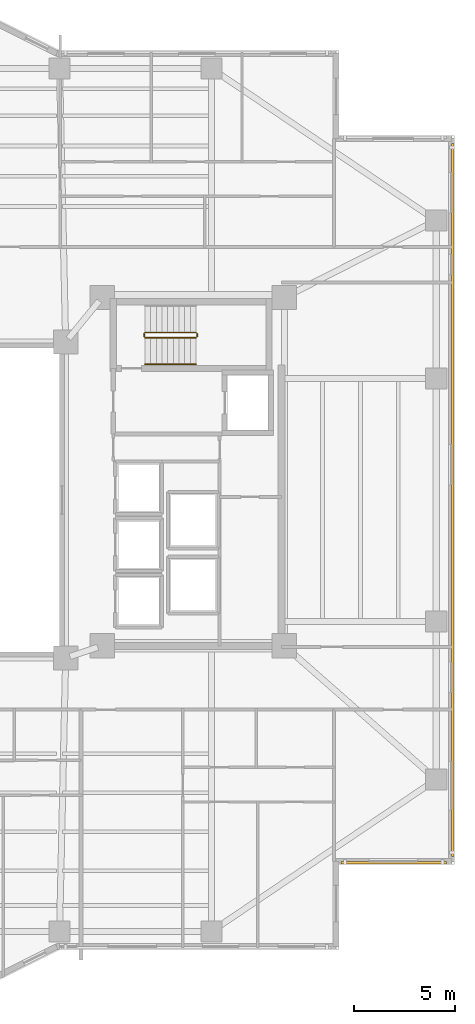
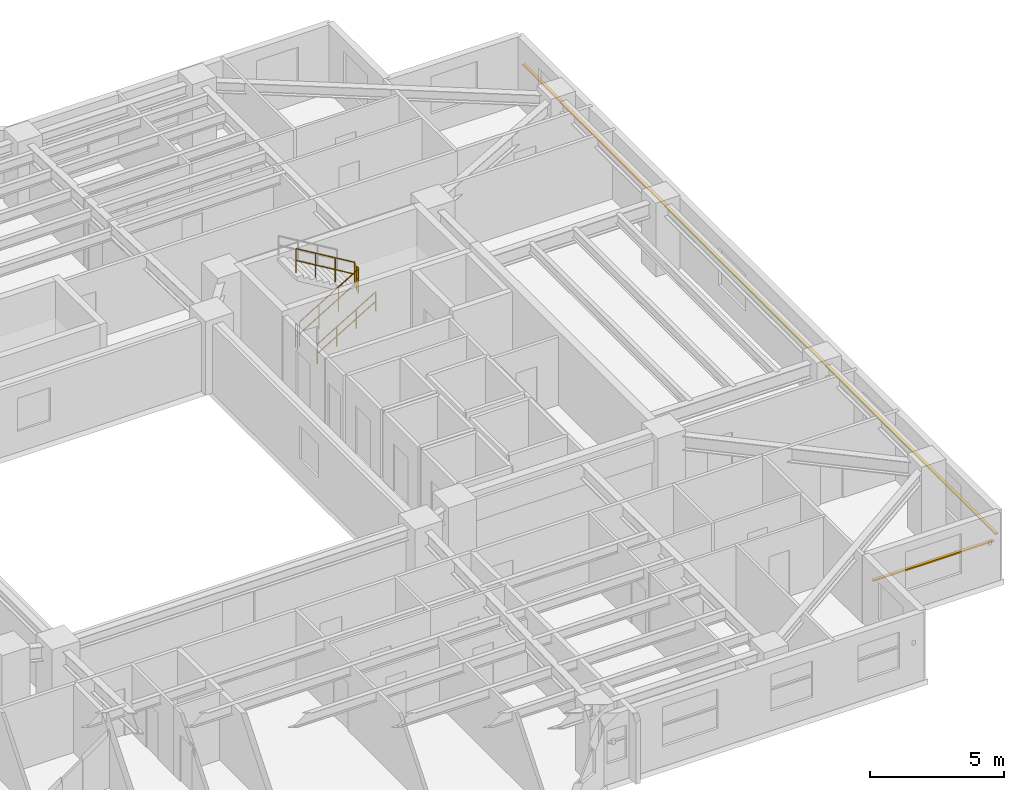
# One storey, part 16 of 18: 5 railings, 2 shading devices.
"""IFC4 building model written with IfcOpenShell, lengths in metres."""

import ifcopenshell
import ifcopenshell.guid

model = None  # the IFC model being written
_history = None  # IfcOwnerHistory: only IFC2X3 demands one
_inside = {}  # id of a spatial element -> (the spatial element, [elements in it])
_under = {}  # id of a project, library or spatial element -> (it, [spatial elements below it])
_declared = {}  # id of a project -> (the project, [libraries it declares])
_typed = {}  # id of a type object -> (the type object, [elements of that type])
_made_of = {}  # id of a material, layer set ... -> (it, [elements and type objects made of it])


def new_model(schema):
    """Start an empty IFC model of exactly this schema.

    Asked for "IFC4X3", IfcOpenShell would pick the latest addendum, in which some entities
    have other attributes; the version numbers below select the first issue.
    IFC2X3 requires an IfcOwnerHistory on every rooted entity: one is made here for all.
    """
    global model, _history
    if schema == "IFC4X3":
        model = ifcopenshell.file(schema_version=(4, 3, 0, 0))
    else:
        model = ifcopenshell.file(schema=schema)
    _inside.clear()
    _under.clear()
    _declared.clear()
    _typed.clear()
    _made_of.clear()
    _history = None
    if model.schema == "IFC2X3":
        org = make("IfcOrganization", Name="unknown")
        user = make(
            "IfcPersonAndOrganization",
            ThePerson=make("IfcPerson", FamilyName="unknown"),
            TheOrganization=org,
        )
        app = make(
            "IfcApplication",
            ApplicationDeveloper=org,
            Version="unknown",
            ApplicationFullName="unknown",
            ApplicationIdentifier="unknown",
        )
        _history = make(
            "IfcOwnerHistory",
            OwningUser=user,
            OwningApplication=app,
            ChangeAction="ADDED",
            CreationDate=0,
        )
    return model


def make(cls, **values):
    """One entity of the class cls with the attributes given. An attribute that is None is left unset."""
    return model.create_entity(
        cls, **{name: value for name, value in values.items() if value is not None}
    )


def rooted(cls, **values):
    """An entity with a GlobalId (a new one), such as an element, a storey or a relation."""
    return make(cls, GlobalId=ifcopenshell.guid.new(), OwnerHistory=_history, **values)


def si_unit(unit_type, name, prefix=None):
    """IfcSIUnit, for example si_unit("LENGTHUNIT", "METRE", prefix="MILLI")."""
    return make("IfcSIUnit", UnitType=unit_type, Prefix=prefix, Name=name)


def assignment(units):
    """IfcUnitAssignment: the units of a project."""
    return None if units is None else make("IfcUnitAssignment", Units=units)


def point(xyz):
    """IfcCartesianPoint."""
    return None if xyz is None else make("IfcCartesianPoint", Coordinates=xyz)


def direction(xyz):
    """IfcDirection."""
    return None if xyz is None else make("IfcDirection", DirectionRatios=xyz)


def frame(location, z_axis=None, x_axis=None):
    """IfcAxis2Placement3D, a coordinate frame: its origin and axes. An axis left out is left unset."""
    return make(
        "IfcAxis2Placement3D",
        Location=point(location),
        Axis=direction(z_axis),
        RefDirection=direction(x_axis),
    )


def frame_2d(location, x_axis=None):
    """IfcAxis2Placement2D, a coordinate frame in the plane: its origin and x axis."""
    return make(
        "IfcAxis2Placement2D", Location=point(location), RefDirection=direction(x_axis)
    )


def origin():
    """The frame at (0, 0, 0) with its axes left unset."""
    return frame((0.0, 0.0, 0.0))


def origin_2d():
    """The frame at (0, 0) in the plane with its x axis left unset."""
    return frame_2d((0.0, 0.0))


def place(relative_to, where):
    """IfcLocalPlacement: puts the frame where relative to a parent placement (None: the world)."""
    return make(
        "IfcLocalPlacement", PlacementRelTo=relative_to, RelativePlacement=where
    )


def context(
    kind, dimensions, precision=None, world=None, true_north=None, identifier=None
):
    """IfcGeometricRepresentationContext, for example the 3D "Model" context."""
    return make(
        "IfcGeometricRepresentationContext",
        ContextIdentifier=identifier,
        ContextType=kind,
        CoordinateSpaceDimension=dimensions,
        Precision=precision,
        WorldCoordinateSystem=world,
        TrueNorth=true_north,
    )


def subcontext(parent, identifier, kind, view, scale=None):
    """IfcGeometricRepresentationSubContext, for example "Body" below "Model"."""
    return make(
        "IfcGeometricRepresentationSubContext",
        ContextIdentifier=identifier,
        ContextType=kind,
        ParentContext=parent,
        TargetScale=scale,
        TargetView=view,
    )


def project(units=None, contexts=None):
    """IfcProject with its units and contexts."""
    return rooted(
        "IfcProject",
        Name="project",
        RepresentationContexts=contexts,
        UnitsInContext=assignment(units),
    )


def spatial(cls, under=None, at=None, **own):
    """A site, building, storey or space (cls), placed at a placement, below another one or the project."""
    s = rooted(cls, ObjectPlacement=at, **own)
    if under is not None:
        _under.setdefault(under.id(), (under, []))[1].append(s)
    return s


def profile(cls, at=None, kind="AREA", **sizes):
    """A parametric profile (cls). Its sizes go by their IFC names, for example OverallWidth=200.0."""
    return make(cls, ProfileType=kind, Position=at, **sizes)


def rectangle(**sizes):
    """IfcRectangleProfileDef."""
    return profile("IfcRectangleProfileDef", **sizes)


def circle(**sizes):
    """IfcCircleProfileDef."""
    return profile("IfcCircleProfileDef", **sizes)


def extrude(swept, where, along, depth):
    """IfcExtrudedAreaSolid: the profile swept, set in the frame where, extruded along a direction by depth."""
    return make(
        "IfcExtrudedAreaSolid",
        SweptArea=swept,
        Position=where,
        ExtrudedDirection=direction(along),
        Depth=depth,
    )


def shape(context_of_items, identifier, shape_type, items):
    """IfcShapeRepresentation: the items that make up one representation, for example the "Body"."""
    return make(
        "IfcShapeRepresentation",
        ContextOfItems=context_of_items,
        RepresentationIdentifier=identifier,
        RepresentationType=shape_type,
        Items=items,
    )


def material(Name=None, Category=None):
    """IfcMaterial."""
    return make("IfcMaterial", Name=Name, Category=Category)


def material_profile(
    of_material, cross_section, Name=None, Category=None, Priority=None
):
    """IfcMaterialProfile: a cross section and its material."""
    return make(
        "IfcMaterialProfile",
        Name=Name,
        Material=of_material,
        Profile=cross_section,
        Priority=Priority,
        Category=Category,
    )


def profile_set(profiles, Name=None, composite=None):
    """IfcMaterialProfileSet."""
    return make(
        "IfcMaterialProfileSet",
        Name=Name,
        MaterialProfiles=profiles,
        CompositeProfile=composite,
    )


def made_of(thing, what):
    """Note that an element or type object is made of a material, layer set ...; save() writes the relation."""
    if what is not None:
        _made_of.setdefault(what.id(), (what, []))[1].append(thing)
    return thing


def type_object(cls, material=None, **own):
    """A type object (cls), such as IfcWallType, which elements share."""
    return made_of(rooted(cls, **own), material)


def element(
    cls,
    number,
    at=None,
    inside=None,
    cuts=None,
    type_object=None,
    material=None,
    context=None,
    identifier="Body",
    shape_type=None,
    held_by="IfcProductDefinitionShape",
    body=None,
    shapes=None,
    **own,
):
    """One element of the class cls, such as IfcWall. Its Tag is "e" and its number.

    at: its placement. inside: the storey or other place that contains it. cuts: it is an
    opening in that element (IfcRelVoidsElement). A single representation is given by context,
    identifier, shape_type and body (its items); several are given by shapes. held_by: the class
    of the entity that holds the representations. save() writes the other relations.
    """
    e = rooted(cls, Tag="e%d" % number, ObjectPlacement=at, **own)
    if body is not None:
        shapes = [shape(context, identifier, shape_type, body)]
    if shapes is not None:
        e.Representation = make(held_by, Representations=shapes)
    if inside is not None:
        _inside.setdefault(inside.id(), (inside, []))[1].append(e)
    if cuts is not None:
        rooted(
            "IfcRelVoidsElement", RelatingBuildingElement=cuts, RelatedOpeningElement=e
        )
    if type_object is not None:
        _typed.setdefault(type_object.id(), (type_object, []))[1].append(e)
    return made_of(e, material)


def aggregate(whole, parts):
    """IfcRelAggregates: a whole, such as a stair, and the parts it consists of."""
    return rooted("IfcRelAggregates", RelatingObject=whole, RelatedObjects=parts)


def save(model, path):
    """Write the relations noted so far, then the file.

    IfcRelAggregates (storeys below a building ...), IfcRelContainedInSpatialStructure (elements
    in a storey), IfcRelDefinesByType, IfcRelAssociatesMaterial and IfcRelDeclares: one each for
    every whole, place, type object, material and project.
    """
    for whole, parts in _under.values():
        aggregate(whole, parts)
    for where, things in _inside.values():
        rooted(
            "IfcRelContainedInSpatialStructure",
            RelatedElements=things,
            RelatingStructure=where,
        )
    for kind, things in _typed.values():
        rooted("IfcRelDefinesByType", RelatedObjects=things, RelatingType=kind)
    for what, things in _made_of.values():
        rooted("IfcRelAssociatesMaterial", RelatedObjects=things, RelatingMaterial=what)
    for by, libraries in _declared.values():
        rooted("IfcRelDeclares", RelatingContext=by, RelatedDefinitions=libraries)
    model.write(path)


model = new_model("IFC4")

# Units and contexts
model_context = context("Model", 3, precision=1e-05, world=origin(), true_north=direction((0.0, 1.0)))
body_context = subcontext(model_context, "Body", "Model", "MODEL_VIEW")
ifc_project = project(units=[si_unit("LENGTHUNIT", "METRE"), si_unit("AREAUNIT", "SQUARE_METRE"), si_unit("VOLUMEUNIT", "CUBIC_METRE"), si_unit("PLANEANGLEUNIT", "RADIAN"), si_unit("MASSUNIT", "GRAM", prefix="KILO")], contexts=[model_context])

# Site, building, storey
site_placement = place(None, origin())
site = spatial("IfcSite", under=ifc_project, at=site_placement, CompositionType="ELEMENT")
building_placement = place(site_placement, origin())
building = spatial("IfcBuilding", under=site, at=building_placement, Name="Tarnavaz Court Tower", CompositionType="ELEMENT")
storey_placement = place(building_placement, frame((0.0, 0.0, 88.35009765625)))
storey = spatial("IfcBuildingStorey", under=building, at=storey_placement, Name="L23", CompositionType="ELEMENT", Elevation=88.35009765625)

# Railings
ifc_material_1 = material(Name="Brushed Stainless Steel", Category="steel")
railing_type_1 = type_object("IfcRailingType", Name="RL-HANDRAIL-900", PredefinedType="HANDRAIL", material=ifc_material_1)
railing_1_placement = place(storey_placement, frame((11.719970703125, 6.699951171875, 0.16748046875)))
element("IfcRailing", 1, at=railing_1_placement, inside=storey, type_object=railing_type_1, Name="L23 ST-E1 stair handrail 1", PredefinedType="HANDRAIL", context=body_context, shape_type="SweptSolid", body=[
    extrude(circle(Radius=0.02392578125, at=origin_2d()), frame((0.0, 0.0, 0.8759765625), z_axis=(0.858196387827, 0.0, 0.513321497621), x_axis=(0.0, 1.0, 0.0)), (0.0, 0.0, 1.0), 2.9365234375),
    extrude(circle(Radius=0.02392578125, at=origin_2d()), frame((0.0, 0.0, 0.449951171875), z_axis=(0.858196387827, 0.0, 0.513321497621), x_axis=(0.0, 1.0, 0.0)), (0.0, 0.0, 1.0), 2.9365234375),
    extrude(circle(Radius=0.02099609375, at=origin_2d()), origin(), (0.0, 0.0, 1.0), 0.851806640625),
    extrude(circle(Radius=0.02099609375, at=origin_2d()), frame((0.840087890625, 0.0, 0.50244140625)), (0.0, 0.0, 1.0), 0.851806640625),
    extrude(circle(Radius=0.02099609375, at=origin_2d()), frame((1.679931640625, 0.0, 1.0048828125)), (0.0, 0.0, 1.0), 0.851806640625),
    extrude(circle(Radius=0.02099609375, at=origin_2d()), frame((2.52001953125, 0.0, 1.50732421875)), (0.0, 0.0, 1.0), 0.851806640625),
])
ifc_material_2 = material(Name="Galvanized Painted Tubular Steel", Category="steel")
railing_type_2 = type_object("IfcRailingType", Name="RL-STGUARD-1120", PredefinedType="GUARDRAIL", material=ifc_material_2)
railing_2_placement = place(storey_placement, frame((11.719970703125, 8.02001953125, 0.16748046875)))
element("IfcRailing", 2, at=railing_2_placement, inside=storey, type_object=railing_type_2, Name="L23 ST-E1 stair guard 1", PredefinedType="GUARDRAIL", context=body_context, shape_type="SweptSolid", body=[
    extrude(circle(Radius=0.02392578125, at=origin_2d()), frame((0.0, 0.0, 1.09619140625), z_axis=(0.858196387827, 0.0, 0.513321497621), x_axis=(0.0, 1.0, 0.0)), (0.0, 0.0, 1.0), 2.9365234375),
    extrude(circle(Radius=0.02392578125, at=origin_2d()), frame((0.0, 0.0, 0.56005859375), z_axis=(0.858196387827, 0.0, 0.513321497621), x_axis=(0.0, 1.0, 0.0)), (0.0, 0.0, 1.0), 2.9365234375),
    extrude(circle(Radius=0.02099609375, at=origin_2d()), origin(), (0.0, 0.0, 1.0), 1.072021484375),
    extrude(circle(Radius=0.02099609375, at=origin_2d()), frame((0.840087890625, 0.0, 0.50244140625)), (0.0, 0.0, 1.0), 1.072021484375),
    extrude(circle(Radius=0.02099609375, at=origin_2d()), frame((1.679931640625, 0.0, 1.0048828125)), (0.0, 0.0, 1.0), 1.072021484375),
    extrude(circle(Radius=0.02099609375, at=origin_2d()), frame((2.52001953125, 0.0, 1.50732421875)), (0.0, 0.0, 1.0), 1.072021484375),
])
railing_3_placement = place(storey_placement, frame((14.2900390625, 8.070068359375, 1.6748046875)))
element("IfcRailing", 3, at=railing_3_placement, inside=storey, type_object=railing_type_2, Name="L23 ST-E1 stair guard 2", PredefinedType="GUARDRAIL", context=body_context, shape_type="SweptSolid", body=[
    extrude(circle(Radius=0.02392578125, at=origin_2d()), frame((0.0, 0.0, 1.09619140625), z_axis=(0.0, 1.0, 0.0), x_axis=(-1.0, 0.0, 0.0)), (0.0, 0.0, 1.0), 0.14990234375),
    extrude(circle(Radius=0.02392578125, at=origin_2d()), frame((0.0, 0.0, 0.56005859375), z_axis=(0.0, 1.0, 0.0), x_axis=(-1.0, 0.0, 0.0)), (0.0, 0.0, 1.0), 0.14990234375),
    extrude(circle(Radius=0.02099609375, at=origin_2d()), origin(), (0.0, 0.0, 1.0), 1.072021484375),
    extrude(circle(Radius=0.02099609375, at=origin_2d()), frame((0.0, 0.14990234375, 0.0)), (0.0, 0.0, 1.0), 1.072021484375),
])
railing_4_placement = place(storey_placement, frame((14.239990234375, 8.27001953125, 1.84228515625)))
element("IfcRailing", 4, at=railing_4_placement, inside=storey, type_object=railing_type_2, Name="L23 ST-E1 stair guard 3", PredefinedType="GUARDRAIL", context=body_context, shape_type="SweptSolid", body=[
    extrude(circle(Radius=0.02392578125, at=origin_2d()), frame((0.0, 0.0, 1.09619140625), z_axis=(-0.858159760407, 0.0, 0.513382728203), x_axis=(0.0, -1.0, 0.0)), (0.0, 0.0, 1.0), 2.9365234375),
    extrude(circle(Radius=0.02392578125, at=origin_2d()), frame((0.0, 0.0, 0.56005859375), z_axis=(-0.858159760407, 0.0, 0.513382728203), x_axis=(0.0, -1.0, 0.0)), (0.0, 0.0, 1.0), 2.9365234375),
    extrude(circle(Radius=0.02099609375, at=origin_2d()), origin(), (0.0, 0.0, 1.0), 1.072021484375),
    extrude(circle(Radius=0.02099609375, at=origin_2d()), frame((-0.840087890625, 0.0, 0.50244140625)), (0.0, 0.0, 1.0), 1.072021484375),
    extrude(circle(Radius=0.02099609375, at=origin_2d()), frame((-1.679931640625, 0.0, 1.005126953125)), (0.0, 0.0, 1.0), 1.072021484375),
    extrude(circle(Radius=0.02099609375, at=origin_2d()), frame((-2.52001953125, 0.0, 1.507568359375)), (0.0, 0.0, 1.0), 1.072021484375),
])
railing_5_placement = place(storey_placement, frame((11.669921875, 8.070068359375, 0.0)))
element("IfcRailing", 5, at=railing_5_placement, inside=storey, type_object=railing_type_2, Name="L23 ST-E1 stair guard 4", PredefinedType="GUARDRAIL", context=body_context, shape_type="SweptSolid", body=[
    extrude(circle(Radius=0.02392578125, at=origin_2d()), frame((0.0, 0.0, 1.09619140625), z_axis=(0.0, 1.0, 0.0), x_axis=(-1.0, 0.0, 0.0)), (0.0, 0.0, 1.0), 0.14990234375),
    extrude(circle(Radius=0.02392578125, at=origin_2d()), frame((0.0, 0.0, 0.56005859375), z_axis=(0.0, 1.0, 0.0), x_axis=(-1.0, 0.0, 0.0)), (0.0, 0.0, 1.0), 0.14990234375),
    extrude(circle(Radius=0.02099609375, at=origin_2d()), origin(), (0.0, 0.0, 1.0), 1.072021484375),
    extrude(circle(Radius=0.02099609375, at=origin_2d()), frame((0.0, 0.14990234375, 0.0)), (0.0, 0.0, 1.0), 1.072021484375),
])

# Shading devices
ifc_material_3 = material(Name="Kiln-Fired Khorasan Terracotta Ceramic", Category="masonry")
ifc_material_profile = material_profile(ifc_material_3, rectangle(XDim=0.1201171875, YDim=0.06005859375, at=origin_2d()), Name="TC BAGUETTE 120X60")
ifc_profile_set = profile_set([ifc_material_profile], Name="Kiln-Fired Khorasan Terracotta Ceramic")
shading_device_type = type_object("IfcShadingDeviceType", Name="SD-BAG-120", PredefinedType="USERDEFINED", material=ifc_profile_set)
shading_device_1_placement = place(storey_placement, frame((26.909912109375, 17.60009765625, 1.849853515625), z_axis=(0.0, -1.0, 0.0), x_axis=(1.0, 0.0, 0.0)))
element("IfcShadingDevice", 6, at=shading_device_1_placement, inside=storey, type_object=shading_device_type, Name="L23 Terracotta Baguette Screen FBG12", ObjectType="BAGUETTE", PredefinedType="USERDEFINED", context=body_context, shape_type="SweptSolid", body=[
    extrude(rectangle(XDim=0.1201171875, YDim=0.06005859375, at=origin_2d()), origin(), (0.0, 0.0, 1.0), 35.2001953125),
])
shading_device_2_placement = place(storey_placement, frame((26.60009765625, -17.909912109375, 1.849853515625), z_axis=(-1.0, 0.0, 0.0), x_axis=(0.0, -1.0, 0.0)))
element("IfcShadingDevice", 7, at=shading_device_2_placement, inside=storey, type_object=shading_device_type, Name="L23 Terracotta Baguette Screen FBG13", ObjectType="BAGUETTE", PredefinedType="USERDEFINED", context=body_context, shape_type="SweptSolid", body=[
    extrude(rectangle(XDim=0.1201171875, YDim=0.06005859375, at=origin_2d()), origin(), (0.0, 0.0, 1.0), 5.2001953125),
])

save(model, "model.ifc")
